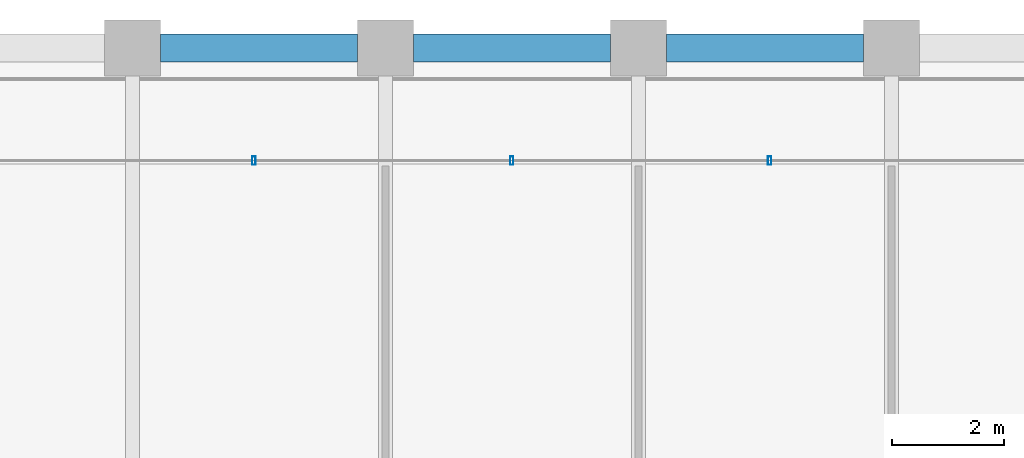
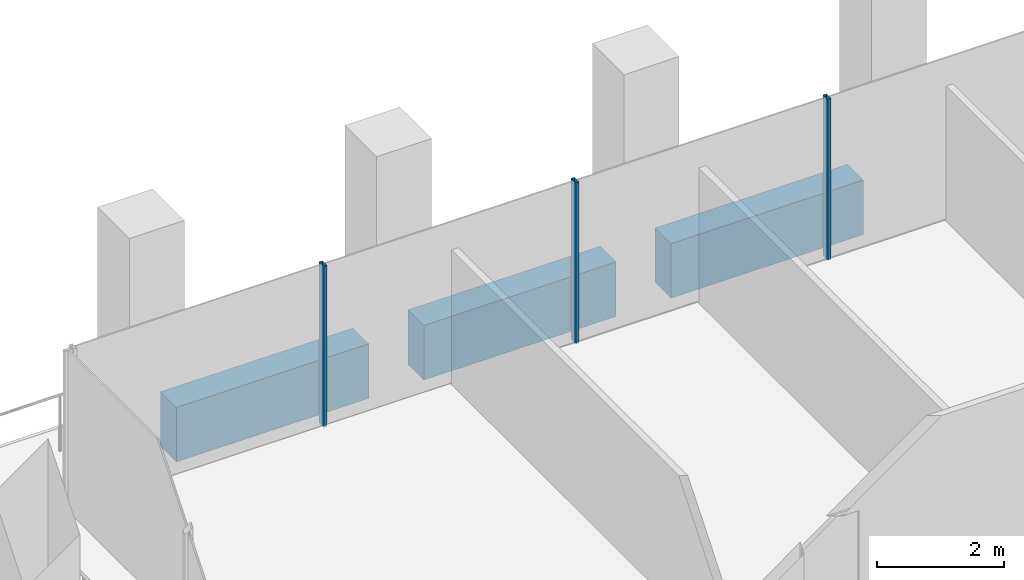
# One storey, part 23 of 46: 3 beams, 3 members, 1 element without a shape of its own.
"""IFC4 building model written with IfcOpenShell, lengths in metres."""

from ifc_helpers import new_model, si_unit, direction, frame, origin, origin_2d, place, context, subcontext, project, spatial, rectangle, hollow_rectangle, extrude, material, material_profile, profile_set, type_object, element, aggregate, save


model = new_model("IFC4")

# Units and contexts
model_context = context("Model", 3, precision=1e-05, world=origin(), true_north=direction((0.0, 1.0)))
body_context = subcontext(model_context, "Body", "Model", "MODEL_VIEW")
ifc_project = project(units=[si_unit("LENGTHUNIT", "METRE"), si_unit("AREAUNIT", "SQUARE_METRE"), si_unit("VOLUMEUNIT", "CUBIC_METRE"), si_unit("PLANEANGLEUNIT", "RADIAN"), si_unit("MASSUNIT", "GRAM", prefix="KILO")], contexts=[model_context])

# Site, building, storey
site_placement = place(None, origin())
site = spatial("IfcSite", under=ifc_project, at=site_placement, CompositionType="ELEMENT")
building_placement = place(site_placement, origin())
building = spatial("IfcBuilding", under=site, at=building_placement, Name="Altepetl Exchange Towers", CompositionType="ELEMENT")
storey_placement = place(building_placement, frame((0.0, 0.0, 135.199951171875)))
storey = spatial("IfcBuildingStorey", under=building, at=storey_placement, Name="L33", CompositionType="ELEMENT", Elevation=135.199951171875)

# Curtain wall, members
ifc_material_1 = material(Name="Aluminium 6063-T6 glazing", Category="aluminium")
curtain_wall_type = type_object("IfcCurtainWallType", Name="Loggia glazing system", PredefinedType="NOTDEFINED", material=ifc_material_1)
curtain_wall_placement = place(storey_placement, origin())
curtain_wall = element("IfcCurtainWall", 1, at=curtain_wall_placement, inside=storey, type_object=curtain_wall_type, Name="CW1 run", PredefinedType="NOTDEFINED")
ifc_material_2 = material(Name="Aluminium 6063-T6", Category="aluminium")
ifc_material_profile_1 = material_profile(ifc_material_2, hollow_rectangle(XDim=0.06005859375, YDim=0.14990234375, WallThickness=0.0029296875, at=origin_2d()), Name="Mullion 60x150 aluminium")
ifc_profile_set_1 = profile_set([ifc_material_profile_1], Name="Aluminium 6063-T6")
member_type = type_object("IfcMemberType", Name="Mullion 60x150 aluminium", PredefinedType="MULLION", material=ifc_profile_set_1)
member_1_placement = place(storey_placement, frame((56.330078125, 70.0, 0.0), z_axis=(0.0, 0.0, 1.0), x_axis=(-1.0, 0.0, 0.0)))
member_1 = element("IfcMember", 2, at=member_1_placement, type_object=member_type, Name="MU1 mullion", PredefinedType="MULLION", context=body_context, shape_type="SweptSolid", body=[
    extrude(hollow_rectangle(XDim=0.06005859375, YDim=0.14990234375, WallThickness=0.0029296875, at=origin_2d()), origin(), (0.0, 0.0, 1.0), 3.10009765625),
])
member_2_placement = place(storey_placement, frame((51.7451171875, 70.0, 0.0), z_axis=(0.0, 0.0, 1.0), x_axis=(-1.0, 0.0, 0.0)))
member_2 = element("IfcMember", 3, at=member_2_placement, type_object=member_type, Name="MU1 mullion", PredefinedType="MULLION", context=body_context, shape_type="SweptSolid", body=[
    extrude(hollow_rectangle(XDim=0.06005859375, YDim=0.14990234375, WallThickness=0.0029296875, at=origin_2d()), origin(), (0.0, 0.0, 1.0), 3.10009765625),
])
member_3_placement = place(storey_placement, frame((47.159912109375, 70.0, 0.0), z_axis=(0.0, 0.0, 1.0), x_axis=(-1.0, 0.0, 0.0)))
member_3 = element("IfcMember", 4, at=member_3_placement, type_object=member_type, Name="MU1 mullion", PredefinedType="MULLION", context=body_context, shape_type="SweptSolid", body=[
    extrude(hollow_rectangle(XDim=0.06005859375, YDim=0.14990234375, WallThickness=0.0029296875, at=origin_2d()), origin(), (0.0, 0.0, 1.0), 3.10009765625),
])
aggregate(curtain_wall, [member_1, member_2, member_3])

# Beams
ifc_material_3 = material(Name="Concrete C50/60 precast with cantera rosa facing", Category="concrete")
ifc_material_profile_2 = material_profile(ifc_material_3, rectangle(XDim=0.5, YDim=1.050048828125, at=origin_2d()), Name="500 x 1050")
ifc_profile_set_2 = profile_set([ifc_material_profile_2], Name="Concrete C50/60 precast with cantera rosa facing")
beam_type = type_object("IfcBeamType", Name="Spandrel beam 500x1050 cantera rosa", PredefinedType="SPANDREL", material=ifc_profile_set_2)
for number, where, z_axis, x_axis, name in (
    (5, (58.0, 72.0, -0.675048828125), (-1.0, 0.0, 0.0), (0.0, -1.0, 0.0), "sp:A:L33:026"),
    (6, (53.5, 72.0, -0.675048828125), (-1.0, 0.0, 0.0), (0.0, -1.0, 0.0), "sp:A:L33:027"),
    (7, (49.0, 72.0, -0.675048828125), (-1.0, 0.0, 0.0), (0.0, -1.0, 0.0), "sp:A:L33:028"),
):
    element("IfcBeam", number, at=place(storey_placement, frame(where, z_axis=z_axis, x_axis=x_axis)), inside=storey, type_object=beam_type, Name=name, PredefinedType="SPANDREL", context=body_context, shape_type="SweptSolid", body=[
        extrude(rectangle(XDim=0.5, YDim=1.050048828125, at=origin_2d()), origin(), (0.0, 0.0, 1.0), 3.5),
    ])

save(model, "model.ifc")
